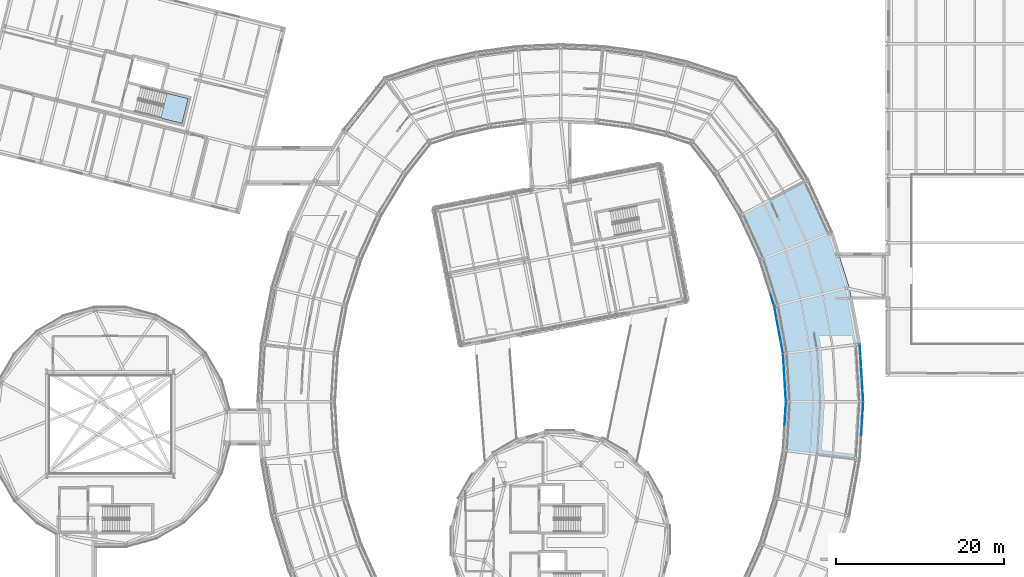
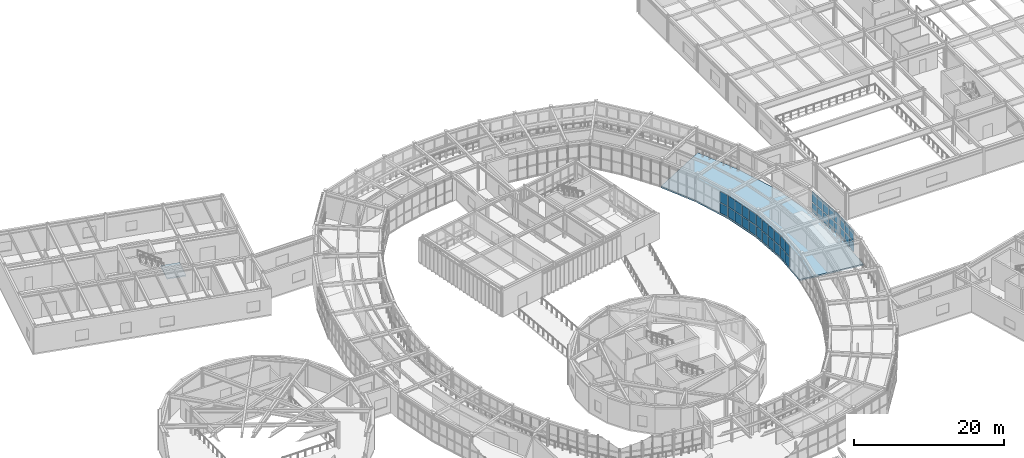
# One storey, part 62 of 103: 38 plates, 2 slabs, 7 elements without a shape of their own.
"""IFC4 building model written with IfcOpenShell, lengths in metres."""

import ifcopenshell
import ifcopenshell.guid

model = None  # the IFC model being written
_history = None  # IfcOwnerHistory: only IFC2X3 demands one
_inside = {}  # id of a spatial element -> (the spatial element, [elements in it])
_under = {}  # id of a project, library or spatial element -> (it, [spatial elements below it])
_declared = {}  # id of a project -> (the project, [libraries it declares])
_typed = {}  # id of a type object -> (the type object, [elements of that type])
_made_of = {}  # id of a material, layer set ... -> (it, [elements and type objects made of it])


def new_model(schema):
    """Start an empty IFC model of exactly this schema.

    Asked for "IFC4X3", IfcOpenShell would pick the latest addendum, in which some entities
    have other attributes; the version numbers below select the first issue.
    IFC2X3 requires an IfcOwnerHistory on every rooted entity: one is made here for all.
    """
    global model, _history
    if schema == "IFC4X3":
        model = ifcopenshell.file(schema_version=(4, 3, 0, 0))
    else:
        model = ifcopenshell.file(schema=schema)
    _inside.clear()
    _under.clear()
    _declared.clear()
    _typed.clear()
    _made_of.clear()
    _history = None
    if model.schema == "IFC2X3":
        org = make("IfcOrganization", Name="unknown")
        user = make(
            "IfcPersonAndOrganization",
            ThePerson=make("IfcPerson", FamilyName="unknown"),
            TheOrganization=org,
        )
        app = make(
            "IfcApplication",
            ApplicationDeveloper=org,
            Version="unknown",
            ApplicationFullName="unknown",
            ApplicationIdentifier="unknown",
        )
        _history = make(
            "IfcOwnerHistory",
            OwningUser=user,
            OwningApplication=app,
            ChangeAction="ADDED",
            CreationDate=0,
        )
    return model


def make(cls, **values):
    """One entity of the class cls with the attributes given. An attribute that is None is left unset."""
    return model.create_entity(
        cls, **{name: value for name, value in values.items() if value is not None}
    )


def rooted(cls, **values):
    """An entity with a GlobalId (a new one), such as an element, a storey or a relation."""
    return make(cls, GlobalId=ifcopenshell.guid.new(), OwnerHistory=_history, **values)


def si_unit(unit_type, name, prefix=None):
    """IfcSIUnit, for example si_unit("LENGTHUNIT", "METRE", prefix="MILLI")."""
    return make("IfcSIUnit", UnitType=unit_type, Prefix=prefix, Name=name)


def assignment(units):
    """IfcUnitAssignment: the units of a project."""
    return None if units is None else make("IfcUnitAssignment", Units=units)


def point(xyz):
    """IfcCartesianPoint."""
    return None if xyz is None else make("IfcCartesianPoint", Coordinates=xyz)


def direction(xyz):
    """IfcDirection."""
    return None if xyz is None else make("IfcDirection", DirectionRatios=xyz)


def frame(location, z_axis=None, x_axis=None):
    """IfcAxis2Placement3D, a coordinate frame: its origin and axes. An axis left out is left unset."""
    return make(
        "IfcAxis2Placement3D",
        Location=point(location),
        Axis=direction(z_axis),
        RefDirection=direction(x_axis),
    )


def frame_2d(location, x_axis=None):
    """IfcAxis2Placement2D, a coordinate frame in the plane: its origin and x axis."""
    return make(
        "IfcAxis2Placement2D", Location=point(location), RefDirection=direction(x_axis)
    )


def origin():
    """The frame at (0, 0, 0) with its axes left unset."""
    return frame((0.0, 0.0, 0.0))


def origin_2d():
    """The frame at (0, 0) in the plane with its x axis left unset."""
    return frame_2d((0.0, 0.0))


def place(relative_to, where):
    """IfcLocalPlacement: puts the frame where relative to a parent placement (None: the world)."""
    return make(
        "IfcLocalPlacement", PlacementRelTo=relative_to, RelativePlacement=where
    )


def context(
    kind, dimensions, precision=None, world=None, true_north=None, identifier=None
):
    """IfcGeometricRepresentationContext, for example the 3D "Model" context."""
    return make(
        "IfcGeometricRepresentationContext",
        ContextIdentifier=identifier,
        ContextType=kind,
        CoordinateSpaceDimension=dimensions,
        Precision=precision,
        WorldCoordinateSystem=world,
        TrueNorth=true_north,
    )


def subcontext(parent, identifier, kind, view, scale=None):
    """IfcGeometricRepresentationSubContext, for example "Body" below "Model"."""
    return make(
        "IfcGeometricRepresentationSubContext",
        ContextIdentifier=identifier,
        ContextType=kind,
        ParentContext=parent,
        TargetScale=scale,
        TargetView=view,
    )


def project(units=None, contexts=None):
    """IfcProject with its units and contexts."""
    return rooted(
        "IfcProject",
        Name="project",
        RepresentationContexts=contexts,
        UnitsInContext=assignment(units),
    )


def spatial(cls, under=None, at=None, **own):
    """A site, building, storey or space (cls), placed at a placement, below another one or the project."""
    s = rooted(cls, ObjectPlacement=at, **own)
    if under is not None:
        _under.setdefault(under.id(), (under, []))[1].append(s)
    return s


def polyline(points):
    """IfcPolyline through the points."""
    return make("IfcPolyline", Points=[point(p) for p in points])


def profile(cls, at=None, kind="AREA", **sizes):
    """A parametric profile (cls). Its sizes go by their IFC names, for example OverallWidth=200.0."""
    return make(cls, ProfileType=kind, Position=at, **sizes)


def rectangle(**sizes):
    """IfcRectangleProfileDef."""
    return profile("IfcRectangleProfileDef", **sizes)


def outline(outer, holes=None, kind="AREA"):
    """IfcArbitraryClosedProfileDef: a profile drawn as a closed curve; with holes, ...WithVoids."""
    if holes is None:
        return make("IfcArbitraryClosedProfileDef", ProfileType=kind, OuterCurve=outer)
    return make(
        "IfcArbitraryProfileDefWithVoids",
        ProfileType=kind,
        OuterCurve=outer,
        InnerCurves=holes,
    )


def extrude(swept, where, along, depth):
    """IfcExtrudedAreaSolid: the profile swept, set in the frame where, extruded along a direction by depth."""
    return make(
        "IfcExtrudedAreaSolid",
        SweptArea=swept,
        Position=where,
        ExtrudedDirection=direction(along),
        Depth=depth,
    )


def shape(context_of_items, identifier, shape_type, items):
    """IfcShapeRepresentation: the items that make up one representation, for example the "Body"."""
    return make(
        "IfcShapeRepresentation",
        ContextOfItems=context_of_items,
        RepresentationIdentifier=identifier,
        RepresentationType=shape_type,
        Items=items,
    )


def material(Name=None, Category=None):
    """IfcMaterial."""
    return make("IfcMaterial", Name=Name, Category=Category)


def layer(
    of_material, thickness, ventilated=None, Name=None, Category=None, Priority=None
):
    """IfcMaterialLayer: one layer of a wall or slab, of a material (None: an air gap)."""
    return make(
        "IfcMaterialLayer",
        Material=of_material,
        LayerThickness=thickness,
        IsVentilated=ventilated,
        Name=Name,
        Category=Category,
        Priority=Priority,
    )


def layer_set(layers, Name=None):
    """IfcMaterialLayerSet."""
    return make("IfcMaterialLayerSet", MaterialLayers=layers, LayerSetName=Name)


def made_of(thing, what):
    """Note that an element or type object is made of a material, layer set ...; save() writes the relation."""
    if what is not None:
        _made_of.setdefault(what.id(), (what, []))[1].append(thing)
    return thing


def type_object(cls, material=None, **own):
    """A type object (cls), such as IfcWallType, which elements share."""
    return made_of(rooted(cls, **own), material)


def element(
    cls,
    number,
    at=None,
    inside=None,
    cuts=None,
    type_object=None,
    material=None,
    context=None,
    identifier="Body",
    shape_type=None,
    held_by="IfcProductDefinitionShape",
    body=None,
    shapes=None,
    **own,
):
    """One element of the class cls, such as IfcWall. Its Tag is "e" and its number.

    at: its placement. inside: the storey or other place that contains it. cuts: it is an
    opening in that element (IfcRelVoidsElement). A single representation is given by context,
    identifier, shape_type and body (its items); several are given by shapes. held_by: the class
    of the entity that holds the representations. save() writes the other relations.
    """
    e = rooted(cls, Tag="e%d" % number, ObjectPlacement=at, **own)
    if body is not None:
        shapes = [shape(context, identifier, shape_type, body)]
    if shapes is not None:
        e.Representation = make(held_by, Representations=shapes)
    if inside is not None:
        _inside.setdefault(inside.id(), (inside, []))[1].append(e)
    if cuts is not None:
        rooted(
            "IfcRelVoidsElement", RelatingBuildingElement=cuts, RelatedOpeningElement=e
        )
    if type_object is not None:
        _typed.setdefault(type_object.id(), (type_object, []))[1].append(e)
    return made_of(e, material)


def aggregate(whole, parts):
    """IfcRelAggregates: a whole, such as a stair, and the parts it consists of."""
    return rooted("IfcRelAggregates", RelatingObject=whole, RelatedObjects=parts)


def save(model, path):
    """Write the relations noted so far, then the file.

    IfcRelAggregates (storeys below a building ...), IfcRelContainedInSpatialStructure (elements
    in a storey), IfcRelDefinesByType, IfcRelAssociatesMaterial and IfcRelDeclares: one each for
    every whole, place, type object, material and project.
    """
    for whole, parts in _under.values():
        aggregate(whole, parts)
    for where, things in _inside.values():
        rooted(
            "IfcRelContainedInSpatialStructure",
            RelatedElements=things,
            RelatingStructure=where,
        )
    for kind, things in _typed.values():
        rooted("IfcRelDefinesByType", RelatedObjects=things, RelatingType=kind)
    for what, things in _made_of.values():
        rooted("IfcRelAssociatesMaterial", RelatedObjects=things, RelatingMaterial=what)
    for by, libraries in _declared.values():
        rooted("IfcRelDeclares", RelatingContext=by, RelatedDefinitions=libraries)
    model.write(path)


model = new_model("IFC4")

# Units and contexts
model_context = context("Model", 3, precision=1e-05, world=origin(), true_north=direction((0.0, 1.0)))
body_context = subcontext(model_context, "Body", "Model", "MODEL_VIEW")
ifc_project = project(units=[si_unit("LENGTHUNIT", "METRE"), si_unit("AREAUNIT", "SQUARE_METRE"), si_unit("VOLUMEUNIT", "CUBIC_METRE"), si_unit("PLANEANGLEUNIT", "RADIAN"), si_unit("MASSUNIT", "GRAM", prefix="KILO")], contexts=[model_context])

# Site, building, storey
site_placement = place(None, origin())
site = spatial("IfcSite", under=ifc_project, at=site_placement, CompositionType="ELEMENT")
building_placement = place(site_placement, origin())
building = spatial("IfcBuilding", under=site, at=building_placement, Name="Varnklinge Art Gallery", CompositionType="ELEMENT")
storey_placement = place(building_placement, frame((0.0, 0.0, 5.10009765625)))
storey = spatial("IfcBuildingStorey", under=building, at=storey_placement, Name="L01", CompositionType="ELEMENT", Elevation=5.10009765625)

# Curtain wall, plates
ifc_material_1 = material(Name="Anodised Aluminium", Category="aluminium")
curtain_wall_type_1 = type_object("IfcCurtainWallType", Name="CW-R04", PredefinedType="USERDEFINED", material=ifc_material_1)
curtain_wall_1_placement = place(storey_placement, origin())
curtain_wall_1 = element("IfcCurtainWall", 1, at=curtain_wall_1_placement, inside=storey, type_object=curtain_wall_type_1, Name="L01 Curtain Wall CW-V2I-L01-06", ObjectType="UNITISED CURTAIN WALL", PredefinedType="USERDEFINED")
ifc_material_2 = material(Name="Insulated Low-E Triple Glazing", Category="glass")
ifc_layer_1 = layer(ifc_material_2, 0.031982421875)
ifc_layer_set_1 = layer_set([ifc_layer_1], Name="Insulated Low-E Triple Glazing")
plate_type_1 = type_object("IfcPlateType", Name="GLZ-32", PredefinedType="CURTAIN_PANEL", material=ifc_layer_set_1)
plate_1_placement = place(storey_placement, frame((102.3466796875, 54.265380859375, 0.11767578125), z_axis=(0.0, 0.0, 1.0), x_axis=(-0.06087433122, -0.9981454382, 0.0)))
plate_1 = element("IfcPlate", 2, at=plate_1_placement, type_object=plate_type_1, Name="CW-V2I-L01-06 Glazing Panel 1.1", PredefinedType="CURTAIN_PANEL", context=body_context, shape_type="SweptSolid", body=[
    extrude(rectangle(XDim=1.355712890625, YDim=0.031982421875, at=origin_2d()), origin(), (0.0, 0.0, 1.0), 1.614501953125),
])
plate_2_placement = place(storey_placement, frame((102.3466796875, 54.265380859375, 1.84814453125), z_axis=(0.0, 0.0, 1.0), x_axis=(-0.06087433122, -0.9981454382, 0.0)))
plate_2 = element("IfcPlate", 3, at=plate_2_placement, type_object=plate_type_1, Name="CW-V2I-L01-06 Glazing Panel 1.2", PredefinedType="CURTAIN_PANEL", context=body_context, shape_type="SweptSolid", body=[
    extrude(rectangle(XDim=1.355712890625, YDim=0.031982421875, at=origin_2d()), origin(), (0.0, 0.0, 1.0), 1.763671875),
])
plate_3_placement = place(storey_placement, frame((102.260009765625, 52.84130859375, 0.11767578125), z_axis=(0.0, 0.0, 1.0), x_axis=(-0.06087433122, -0.9981454382, 0.0)))
plate_3 = element("IfcPlate", 4, at=plate_3_placement, type_object=plate_type_1, Name="CW-V2I-L01-06 Glazing Panel 2.1", PredefinedType="CURTAIN_PANEL", context=body_context, shape_type="SweptSolid", body=[
    extrude(rectangle(XDim=1.3857421875, YDim=0.031982421875, at=origin_2d()), origin(), (0.0, 0.0, 1.0), 1.614501953125),
])
plate_4_placement = place(storey_placement, frame((102.260009765625, 52.84130859375, 1.84814453125), z_axis=(0.0, 0.0, 1.0), x_axis=(-0.06087433122, -0.9981454382, 0.0)))
plate_4 = element("IfcPlate", 5, at=plate_4_placement, type_object=plate_type_1, Name="CW-V2I-L01-06 Glazing Panel 2.2", PredefinedType="CURTAIN_PANEL", context=body_context, shape_type="SweptSolid", body=[
    extrude(rectangle(XDim=1.3857421875, YDim=0.031982421875, at=origin_2d()), origin(), (0.0, 0.0, 1.0), 1.763671875),
])
aggregate(curtain_wall_1, [plate_1, plate_2, plate_3, plate_4])

curtain_wall_2_placement = place(storey_placement, origin())
curtain_wall_2 = element("IfcCurtainWall", 6, at=curtain_wall_2_placement, inside=storey, type_object=curtain_wall_type_1, Name="L01 Curtain Wall CW-V2I-L01-07", ObjectType="UNITISED CURTAIN WALL", PredefinedType="USERDEFINED")
plate_5_placement = place(storey_placement, frame((102.08544921875, 60.02197265625, 0.11767578125), z_axis=(0.0, 0.0, 1.0), x_axis=(0.06087433122, -0.9981454382, 0.0)))
plate_5 = element("IfcPlate", 7, at=plate_5_placement, type_object=plate_type_1, Name="CW-V2I-L01-07 Glazing Panel 1.1", PredefinedType="CURTAIN_PANEL", context=body_context, shape_type="SweptSolid", body=[
    extrude(rectangle(XDim=1.355712890625, YDim=0.031982421875, at=origin_2d()), origin(), (0.0, 0.0, 1.0), 1.614501953125),
])
plate_6_placement = place(storey_placement, frame((102.08544921875, 60.02197265625, 1.84814453125), z_axis=(0.0, 0.0, 1.0), x_axis=(0.06087433122, -0.9981454382, 0.0)))
plate_6 = element("IfcPlate", 8, at=plate_6_placement, type_object=plate_type_1, Name="CW-V2I-L01-07 Glazing Panel 1.2", PredefinedType="CURTAIN_PANEL", context=body_context, shape_type="SweptSolid", body=[
    extrude(rectangle(XDim=1.355712890625, YDim=0.031982421875, at=origin_2d()), origin(), (0.0, 0.0, 1.0), 1.763671875),
])
plate_7_placement = place(storey_placement, frame((102.172119140625, 58.59765625, 0.11767578125), z_axis=(0.0, 0.0, 1.0), x_axis=(0.06087433122, -0.9981454382, 0.0)))
plate_7 = element("IfcPlate", 9, at=plate_7_placement, type_object=plate_type_1, Name="CW-V2I-L01-07 Glazing Panel 2.1", PredefinedType="CURTAIN_PANEL", context=body_context, shape_type="SweptSolid", body=[
    extrude(rectangle(XDim=1.3857421875, YDim=0.031982421875, at=origin_2d()), origin(), (0.0, 0.0, 1.0), 1.614501953125),
])
plate_8_placement = place(storey_placement, frame((102.172119140625, 58.59765625, 1.84814453125), z_axis=(0.0, 0.0, 1.0), x_axis=(0.06087433122, -0.9981454382, 0.0)))
plate_8 = element("IfcPlate", 10, at=plate_8_placement, type_object=plate_type_1, Name="CW-V2I-L01-07 Glazing Panel 2.2", PredefinedType="CURTAIN_PANEL", context=body_context, shape_type="SweptSolid", body=[
    extrude(rectangle(XDim=1.3857421875, YDim=0.031982421875, at=origin_2d()), origin(), (0.0, 0.0, 1.0), 1.763671875),
])
plate_9_placement = place(storey_placement, frame((102.260009765625, 57.15869140625, 0.11767578125), z_axis=(0.0, 0.0, 1.0), x_axis=(0.06087433122, -0.9981454382, 0.0)))
plate_9 = element("IfcPlate", 11, at=plate_9_placement, type_object=plate_type_1, Name="CW-V2I-L01-07 Glazing Panel 3.1", PredefinedType="CURTAIN_PANEL", context=body_context, shape_type="SweptSolid", body=[
    extrude(rectangle(XDim=1.3857421875, YDim=0.031982421875, at=origin_2d()), origin(), (0.0, 0.0, 1.0), 1.614501953125),
])
plate_10_placement = place(storey_placement, frame((102.260009765625, 57.15869140625, 1.84814453125), z_axis=(0.0, 0.0, 1.0), x_axis=(0.06087433122, -0.9981454382, 0.0)))
plate_10 = element("IfcPlate", 12, at=plate_10_placement, type_object=plate_type_1, Name="CW-V2I-L01-07 Glazing Panel 3.2", PredefinedType="CURTAIN_PANEL", context=body_context, shape_type="SweptSolid", body=[
    extrude(rectangle(XDim=1.3857421875, YDim=0.031982421875, at=origin_2d()), origin(), (0.0, 0.0, 1.0), 1.763671875),
])
plate_11_placement = place(storey_placement, frame((102.3466796875, 55.734619140625, 0.11767578125), z_axis=(0.0, 0.0, 1.0), x_axis=(0.06087433122, -0.9981454382, 0.0)))
plate_11 = element("IfcPlate", 13, at=plate_11_placement, type_object=plate_type_1, Name="CW-V2I-L01-07 Glazing Panel 4.1", PredefinedType="CURTAIN_PANEL", context=body_context, shape_type="SweptSolid", body=[
    extrude(rectangle(XDim=1.355712890625, YDim=0.031982421875, at=origin_2d()), origin(), (0.0, 0.0, 1.0), 1.614501953125),
])
plate_12_placement = place(storey_placement, frame((102.3466796875, 55.734619140625, 1.84814453125), z_axis=(0.0, 0.0, 1.0), x_axis=(0.06087433122, -0.9981454382, 0.0)))
plate_12 = element("IfcPlate", 14, at=plate_12_placement, type_object=plate_type_1, Name="CW-V2I-L01-07 Glazing Panel 4.2", PredefinedType="CURTAIN_PANEL", context=body_context, shape_type="SweptSolid", body=[
    extrude(rectangle(XDim=1.355712890625, YDim=0.031982421875, at=origin_2d()), origin(), (0.0, 0.0, 1.0), 1.763671875),
])
aggregate(curtain_wall_2, [plate_5, plate_6, plate_7, plate_8, plate_9, plate_10, plate_11, plate_12])

curtain_wall_3_placement = place(storey_placement, origin())
curtain_wall_3 = element("IfcCurtainWall", 15, at=curtain_wall_3_placement, inside=storey, type_object=curtain_wall_type_1, Name="L01 Curtain Wall CW-V2I-L01-08", ObjectType="UNITISED CURTAIN WALL", PredefinedType="USERDEFINED")
plate_13_placement = place(storey_placement, frame((101.126708984375, 65.703857421875, 0.11767578125), z_axis=(0.0, 0.0, 1.0), x_axis=(0.181549039717, -0.983381892338, 0.0)))
plate_13 = element("IfcPlate", 16, at=plate_13_placement, type_object=plate_type_1, Name="CW-V2I-L01-08 Glazing Panel 1.1", PredefinedType="CURTAIN_PANEL", context=body_context, shape_type="SweptSolid", body=[
    extrude(rectangle(XDim=1.355712890625, YDim=0.031982421875, at=origin_2d()), origin(), (0.0, 0.0, 1.0), 1.614501953125),
])
plate_14_placement = place(storey_placement, frame((101.126708984375, 65.703857421875, 1.84814453125), z_axis=(0.0, 0.0, 1.0), x_axis=(0.181549039717, -0.983381892338, 0.0)))
plate_14 = element("IfcPlate", 17, at=plate_14_placement, type_object=plate_type_1, Name="CW-V2I-L01-08 Glazing Panel 1.2", PredefinedType="CURTAIN_PANEL", context=body_context, shape_type="SweptSolid", body=[
    extrude(rectangle(XDim=1.355712890625, YDim=0.031982421875, at=origin_2d()), origin(), (0.0, 0.0, 1.0), 1.763671875),
])
plate_15_placement = place(storey_placement, frame((101.385986328125, 64.30078125, 0.11767578125), z_axis=(0.0, 0.0, 1.0), x_axis=(0.181549039717, -0.983381892338, 0.0)))
plate_15 = element("IfcPlate", 18, at=plate_15_placement, type_object=plate_type_1, Name="CW-V2I-L01-08 Glazing Panel 2.1", PredefinedType="CURTAIN_PANEL", context=body_context, shape_type="SweptSolid", body=[
    extrude(rectangle(XDim=1.3857421875, YDim=0.031982421875, at=origin_2d()), origin(), (0.0, 0.0, 1.0), 1.614501953125),
])
plate_16_placement = place(storey_placement, frame((101.385986328125, 64.30078125, 1.84814453125), z_axis=(0.0, 0.0, 1.0), x_axis=(0.181549039717, -0.983381892338, 0.0)))
plate_16 = element("IfcPlate", 19, at=plate_16_placement, type_object=plate_type_1, Name="CW-V2I-L01-08 Glazing Panel 2.2", PredefinedType="CURTAIN_PANEL", context=body_context, shape_type="SweptSolid", body=[
    extrude(rectangle(XDim=1.3857421875, YDim=0.031982421875, at=origin_2d()), origin(), (0.0, 0.0, 1.0), 1.763671875),
])
plate_17_placement = place(storey_placement, frame((101.647705078125, 62.883056640625, 0.11767578125), z_axis=(0.0, 0.0, 1.0), x_axis=(0.181549039717, -0.983381892338, 0.0)))
plate_17 = element("IfcPlate", 20, at=plate_17_placement, type_object=plate_type_1, Name="CW-V2I-L01-08 Glazing Panel 3.1", PredefinedType="CURTAIN_PANEL", context=body_context, shape_type="SweptSolid", body=[
    extrude(rectangle(XDim=1.3857421875, YDim=0.031982421875, at=origin_2d()), origin(), (0.0, 0.0, 1.0), 1.614501953125),
])
plate_18_placement = place(storey_placement, frame((101.647705078125, 62.883056640625, 1.84814453125), z_axis=(0.0, 0.0, 1.0), x_axis=(0.181549039717, -0.983381892338, 0.0)))
plate_18 = element("IfcPlate", 21, at=plate_18_placement, type_object=plate_type_1, Name="CW-V2I-L01-08 Glazing Panel 3.2", PredefinedType="CURTAIN_PANEL", context=body_context, shape_type="SweptSolid", body=[
    extrude(rectangle(XDim=1.3857421875, YDim=0.031982421875, at=origin_2d()), origin(), (0.0, 0.0, 1.0), 1.763671875),
])
plate_19_placement = place(storey_placement, frame((101.906982421875, 61.47998046875, 0.11767578125), z_axis=(0.0, 0.0, 1.0), x_axis=(0.181549039717, -0.983381892338, 0.0)))
plate_19 = element("IfcPlate", 22, at=plate_19_placement, type_object=plate_type_1, Name="CW-V2I-L01-08 Glazing Panel 4.1", PredefinedType="CURTAIN_PANEL", context=body_context, shape_type="SweptSolid", body=[
    extrude(rectangle(XDim=1.355712890625, YDim=0.031982421875, at=origin_2d()), origin(), (0.0, 0.0, 1.0), 1.614501953125),
])
plate_20_placement = place(storey_placement, frame((101.906982421875, 61.47998046875, 1.84814453125), z_axis=(0.0, 0.0, 1.0), x_axis=(0.181549039717, -0.983381892338, 0.0)))
plate_20 = element("IfcPlate", 23, at=plate_20_placement, type_object=plate_type_1, Name="CW-V2I-L01-08 Glazing Panel 4.2", PredefinedType="CURTAIN_PANEL", context=body_context, shape_type="SweptSolid", body=[
    extrude(rectangle(XDim=1.355712890625, YDim=0.031982421875, at=origin_2d()), origin(), (0.0, 0.0, 1.0), 1.763671875),
])
aggregate(curtain_wall_3, [plate_13, plate_14, plate_15, plate_16, plate_17, plate_18, plate_19, plate_20])

curtain_wall_4_placement = place(storey_placement, origin())
curtain_wall_4 = element("IfcCurtainWall", 24, at=curtain_wall_4_placement, inside=storey, type_object=curtain_wall_type_1, Name="L01 Curtain Wall CW-V2I-L01-09", ObjectType="UNITISED CURTAIN WALL", PredefinedType="USERDEFINED")
plate_21_placement = place(storey_placement, frame((100.7724609375, 67.129638671875, 0.11767578125), z_axis=(0.0, 0.0, 1.0), x_axis=(0.299706904751, -0.954031326134, 0.0)))
plate_21 = element("IfcPlate", 25, at=plate_21_placement, type_object=plate_type_1, Name="CW-V2I-L01-09 Glazing Panel 4.1", PredefinedType="CURTAIN_PANEL", context=body_context, shape_type="SweptSolid", body=[
    extrude(rectangle(XDim=1.355712890625, YDim=0.031982421875, at=origin_2d()), origin(), (0.0, 0.0, 1.0), 1.614501953125),
])
plate_22_placement = place(storey_placement, frame((100.7724609375, 67.129638671875, 1.84814453125), z_axis=(0.0, 0.0, 1.0), x_axis=(0.299706904751, -0.954031326134, 0.0)))
plate_22 = element("IfcPlate", 26, at=plate_22_placement, type_object=plate_type_1, Name="CW-V2I-L01-09 Glazing Panel 4.2", PredefinedType="CURTAIN_PANEL", context=body_context, shape_type="SweptSolid", body=[
    extrude(rectangle(XDim=1.355712890625, YDim=0.031982421875, at=origin_2d()), origin(), (0.0, 0.0, 1.0), 1.763671875),
])
aggregate(curtain_wall_4, [plate_21, plate_22])

ifc_material_3 = material(Name="Anodised Aluminium", Category="aluminium")
curtain_wall_type_2 = type_object("IfcCurtainWallType", Name="CW-R02", PredefinedType="USERDEFINED", material=ifc_material_3)
curtain_wall_5_placement = place(storey_placement, origin())
curtain_wall_5 = element("IfcCurtainWall", 27, at=curtain_wall_5_placement, inside=storey, type_object=curtain_wall_type_2, Name="L01 Curtain Wall CW-V2O-L01-06", ObjectType="UNITISED CURTAIN WALL", PredefinedType="USERDEFINED")
ifc_material_4 = material(Name="Insulated Low-E Triple Glazing", Category="glass")
ifc_layer_2 = layer(ifc_material_4, 0.0380859375)
ifc_layer_set_2 = layer_set([ifc_layer_2], Name="Insulated Low-E Triple Glazing")
plate_type_2 = type_object("IfcPlateType", Name="GLZ-38", PredefinedType="CURTAIN_PANEL", material=ifc_layer_set_2)
plate_23_placement = place(storey_placement, frame((111.39892578125, 51.56201171875, 0.14794921875), z_axis=(0.0, 0.0, 1.0), x_axis=(0.06087433122, 0.9981454382, 0.0)))
plate_23 = element("IfcPlate", 28, at=plate_23_placement, type_object=plate_type_2, Name="CW-V2O-L01-06 Glazing Panel 3.1", PredefinedType="CURTAIN_PANEL", context=body_context, shape_type="SweptSolid", body=[
    extrude(rectangle(XDim=1.31689453125, YDim=0.0380859375, at=origin_2d()), origin(), (0.0, 0.0, 1.0), 1.5693359375),
])
plate_24_placement = place(storey_placement, frame((111.39892578125, 51.56201171875, 1.86328125), z_axis=(0.0, 0.0, 1.0), x_axis=(0.06087433122, 0.9981454382, 0.0)))
plate_24 = element("IfcPlate", 29, at=plate_24_placement, type_object=plate_type_2, Name="CW-V2O-L01-06 Glazing Panel 3.2", PredefinedType="CURTAIN_PANEL", context=body_context, shape_type="SweptSolid", body=[
    extrude(rectangle(XDim=1.31689453125, YDim=0.0380859375, at=origin_2d()), origin(), (0.0, 0.0, 1.0), 1.718505859375),
])
plate_25_placement = place(storey_placement, frame((111.48291015625, 52.937255859375, 0.14794921875), z_axis=(0.0, 0.0, 1.0), x_axis=(0.06087433122, 0.9981454382, 0.0)))
plate_25 = element("IfcPlate", 30, at=plate_25_placement, type_object=plate_type_2, Name="CW-V2O-L01-06 Glazing Panel 4.1", PredefinedType="CURTAIN_PANEL", context=body_context, shape_type="SweptSolid", body=[
    extrude(rectangle(XDim=1.31689453125, YDim=0.0380859375, at=origin_2d()), origin(), (0.0, 0.0, 1.0), 1.5693359375),
])
plate_26_placement = place(storey_placement, frame((111.48291015625, 52.937255859375, 1.86328125), z_axis=(0.0, 0.0, 1.0), x_axis=(0.06087433122, 0.9981454382, 0.0)))
plate_26 = element("IfcPlate", 31, at=plate_26_placement, type_object=plate_type_2, Name="CW-V2O-L01-06 Glazing Panel 4.2", PredefinedType="CURTAIN_PANEL", context=body_context, shape_type="SweptSolid", body=[
    extrude(rectangle(XDim=1.31689453125, YDim=0.0380859375, at=origin_2d()), origin(), (0.0, 0.0, 1.0), 1.718505859375),
])
plate_27_placement = place(storey_placement, frame((111.565673828125, 54.296142578125, 0.14794921875), z_axis=(0.0, 0.0, 1.0), x_axis=(0.06087433122, 0.9981454382, 0.0)))
plate_27 = element("IfcPlate", 32, at=plate_27_placement, type_object=plate_type_2, Name="CW-V2O-L01-06 Glazing Panel 5.1", PredefinedType="CURTAIN_PANEL", context=body_context, shape_type="SweptSolid", body=[
    extrude(rectangle(XDim=1.2841796875, YDim=0.0380859375, at=origin_2d()), origin(), (0.0, 0.0, 1.0), 1.5693359375),
])
plate_28_placement = place(storey_placement, frame((111.565673828125, 54.296142578125, 1.86328125), z_axis=(0.0, 0.0, 1.0), x_axis=(0.06087433122, 0.9981454382, 0.0)))
plate_28 = element("IfcPlate", 33, at=plate_28_placement, type_object=plate_type_2, Name="CW-V2O-L01-06 Glazing Panel 5.2", PredefinedType="CURTAIN_PANEL", context=body_context, shape_type="SweptSolid", body=[
    extrude(rectangle(XDim=1.2841796875, YDim=0.0380859375, at=origin_2d()), origin(), (0.0, 0.0, 1.0), 1.718505859375),
])
aggregate(curtain_wall_5, [plate_23, plate_24, plate_25, plate_26, plate_27, plate_28])

curtain_wall_6_placement = place(storey_placement, origin())
curtain_wall_6 = element("IfcCurtainWall", 34, at=curtain_wall_6_placement, inside=storey, type_object=curtain_wall_type_2, Name="L01 Curtain Wall CW-V2O-L01-07", ObjectType="UNITISED CURTAIN WALL", PredefinedType="USERDEFINED")
plate_29_placement = place(storey_placement, frame((111.565673828125, 55.703857421875, 0.14794921875), z_axis=(0.0, 0.0, 1.0), x_axis=(-0.06087433122, 0.9981454382, 0.0)))
plate_29 = element("IfcPlate", 35, at=plate_29_placement, type_object=plate_type_2, Name="CW-V2O-L01-07 Glazing Panel 1.1", PredefinedType="CURTAIN_PANEL", context=body_context, shape_type="SweptSolid", body=[
    extrude(rectangle(XDim=1.2841796875, YDim=0.0380859375, at=origin_2d()), origin(), (0.0, 0.0, 1.0), 1.5693359375),
])
plate_30_placement = place(storey_placement, frame((111.565673828125, 55.703857421875, 1.86328125), z_axis=(0.0, 0.0, 1.0), x_axis=(-0.06087433122, 0.9981454382, 0.0)))
plate_30 = element("IfcPlate", 36, at=plate_30_placement, type_object=plate_type_2, Name="CW-V2O-L01-07 Glazing Panel 1.2", PredefinedType="CURTAIN_PANEL", context=body_context, shape_type="SweptSolid", body=[
    extrude(rectangle(XDim=1.2841796875, YDim=0.0380859375, at=origin_2d()), origin(), (0.0, 0.0, 1.0), 1.718505859375),
])
plate_31_placement = place(storey_placement, frame((111.48291015625, 57.062744140625, 0.14794921875), z_axis=(0.0, 0.0, 1.0), x_axis=(-0.06087433122, 0.9981454382, 0.0)))
plate_31 = element("IfcPlate", 37, at=plate_31_placement, type_object=plate_type_2, Name="CW-V2O-L01-07 Glazing Panel 2.1", PredefinedType="CURTAIN_PANEL", context=body_context, shape_type="SweptSolid", body=[
    extrude(rectangle(XDim=1.31689453125, YDim=0.0380859375, at=origin_2d()), origin(), (0.0, 0.0, 1.0), 1.5693359375),
])
plate_32_placement = place(storey_placement, frame((111.48291015625, 57.062744140625, 1.86328125), z_axis=(0.0, 0.0, 1.0), x_axis=(-0.06087433122, 0.9981454382, 0.0)))
plate_32 = element("IfcPlate", 38, at=plate_32_placement, type_object=plate_type_2, Name="CW-V2O-L01-07 Glazing Panel 2.2", PredefinedType="CURTAIN_PANEL", context=body_context, shape_type="SweptSolid", body=[
    extrude(rectangle(XDim=1.31689453125, YDim=0.0380859375, at=origin_2d()), origin(), (0.0, 0.0, 1.0), 1.718505859375),
])
plate_33_placement = place(storey_placement, frame((111.39892578125, 58.43798828125, 0.14794921875), z_axis=(0.0, 0.0, 1.0), x_axis=(-0.06087433122, 0.9981454382, 0.0)))
plate_33 = element("IfcPlate", 39, at=plate_33_placement, type_object=plate_type_2, Name="CW-V2O-L01-07 Glazing Panel 3.1", PredefinedType="CURTAIN_PANEL", context=body_context, shape_type="SweptSolid", body=[
    extrude(rectangle(XDim=1.31689453125, YDim=0.0380859375, at=origin_2d()), origin(), (0.0, 0.0, 1.0), 1.5693359375),
])
plate_34_placement = place(storey_placement, frame((111.39892578125, 58.43798828125, 1.86328125), z_axis=(0.0, 0.0, 1.0), x_axis=(-0.06087433122, 0.9981454382, 0.0)))
plate_34 = element("IfcPlate", 40, at=plate_34_placement, type_object=plate_type_2, Name="CW-V2O-L01-07 Glazing Panel 3.2", PredefinedType="CURTAIN_PANEL", context=body_context, shape_type="SweptSolid", body=[
    extrude(rectangle(XDim=1.31689453125, YDim=0.0380859375, at=origin_2d()), origin(), (0.0, 0.0, 1.0), 1.718505859375),
])
plate_35_placement = place(storey_placement, frame((111.315185546875, 59.813232421875, 0.14794921875), z_axis=(0.0, 0.0, 1.0), x_axis=(-0.06087433122, 0.9981454382, 0.0)))
plate_35 = element("IfcPlate", 41, at=plate_35_placement, type_object=plate_type_2, Name="CW-V2O-L01-07 Glazing Panel 4.1", PredefinedType="CURTAIN_PANEL", context=body_context, shape_type="SweptSolid", body=[
    extrude(rectangle(XDim=1.31689453125, YDim=0.0380859375, at=origin_2d()), origin(), (0.0, 0.0, 1.0), 1.5693359375),
])
plate_36_placement = place(storey_placement, frame((111.315185546875, 59.813232421875, 1.86328125), z_axis=(0.0, 0.0, 1.0), x_axis=(-0.06087433122, 0.9981454382, 0.0)))
plate_36 = element("IfcPlate", 42, at=plate_36_placement, type_object=plate_type_2, Name="CW-V2O-L01-07 Glazing Panel 4.2", PredefinedType="CURTAIN_PANEL", context=body_context, shape_type="SweptSolid", body=[
    extrude(rectangle(XDim=1.31689453125, YDim=0.0380859375, at=origin_2d()), origin(), (0.0, 0.0, 1.0), 1.718505859375),
])
plate_37_placement = place(storey_placement, frame((111.232421875, 61.172119140625, 0.14794921875), z_axis=(0.0, 0.0, 1.0), x_axis=(-0.06087433122, 0.9981454382, 0.0)))
plate_37 = element("IfcPlate", 43, at=plate_37_placement, type_object=plate_type_2, Name="CW-V2O-L01-07 Glazing Panel 5.1", PredefinedType="CURTAIN_PANEL", context=body_context, shape_type="SweptSolid", body=[
    extrude(rectangle(XDim=1.2841796875, YDim=0.0380859375, at=origin_2d()), origin(), (0.0, 0.0, 1.0), 1.5693359375),
])
plate_38_placement = place(storey_placement, frame((111.232421875, 61.172119140625, 1.86328125), z_axis=(0.0, 0.0, 1.0), x_axis=(-0.06087433122, 0.9981454382, 0.0)))
plate_38 = element("IfcPlate", 44, at=plate_38_placement, type_object=plate_type_2, Name="CW-V2O-L01-07 Glazing Panel 5.2", PredefinedType="CURTAIN_PANEL", context=body_context, shape_type="SweptSolid", body=[
    extrude(rectangle(XDim=1.2841796875, YDim=0.0380859375, at=origin_2d()), origin(), (0.0, 0.0, 1.0), 1.718505859375),
])
aggregate(curtain_wall_6, [plate_29, plate_30, plate_31, plate_32, plate_33, plate_34, plate_35, plate_36, plate_37, plate_38])

# Slab
ifc_material_5 = material(Name="Concrete C35/45", Category="concrete")
ifc_layer_3 = layer(ifc_material_5, 0.219970703125)
ifc_layer_set_3 = layer_set([ifc_layer_3], Name="Concrete C35/45")
slab_type_1 = type_object("IfcSlabType", Name="SLB-F22", PredefinedType="FLOOR", material=ifc_layer_set_3)
slab_1_placement = place(storey_placement, frame((0.0, 0.0, -0.22021484375)))
element("IfcSlab", 45, at=slab_1_placement, inside=storey, type_object=slab_type_1, Name="L01 Curved Gallery Ring Sector 2", PredefinedType="FLOOR", context=body_context, shape_type="SweptSolid", body=[
    extrude(outline(polyline([(111.6083984375, 55.0), (111.189453125, 61.8759765625), (109.93798828125, 68.650146484375), (107.873291015625, 75.22216796875), (105.025390625, 81.494873046875), (96.88037109375, 77.180908203125), (99.264404296875, 71.9296875), (100.9931640625, 66.427490234375), (102.04052734375, 60.75634765625), (102.3916015625, 55.0), (102.04052734375, 49.24365234375), (111.189453125, 48.1240234375), (111.6083984375, 55.0)])), origin(), (0.0, 0.0, 1.0), 0.22021484375),
])

# Stair, slab
ifc_material_6 = material(Name="Concrete C40/50", Category="concrete")
stair_type = type_object("IfcStairType", Name="STR-C4420", PredefinedType="HALF_TURN_STAIR", material=ifc_material_6)
stair_placement = place(storey_placement, origin())
stair = element("IfcStair", 46, at=stair_placement, inside=storey, type_object=stair_type, Name="L01 Core C4 Stair ST-04", PredefinedType="HALF_TURN_STAIR")
ifc_material_7 = material(Name="Concrete C40/50", Category="concrete")
ifc_layer_4 = layer(ifc_material_7, 0.199951171875)
ifc_layer_set_4 = layer_set([ifc_layer_4], Name="Concrete C40/50")
slab_type_2 = type_object("IfcSlabType", Name="SLB-LND20", PredefinedType="LANDING", material=ifc_layer_set_4)
slab_2_placement = place(storey_placement, frame((0.0, 0.0, 2.010009765625)))
slab_2 = element("IfcSlab", 47, at=slab_2_placement, type_object=slab_type_2, Name="ST-04 landing 1", PredefinedType="LANDING", context=body_context, shape_type="SweptSolid", body=[
    extrude(outline(polyline([(27.802734375, 88.832763671875), (30.3642578125, 88.194091796875), (31.1044921875, 91.1630859375), (28.54296875, 91.8017578125), (27.802734375, 88.832763671875)])), origin(), (0.0, 0.0, 1.0), 0.199951171875),
])
aggregate(stair, [slab_2])

save(model, "model.ifc")
